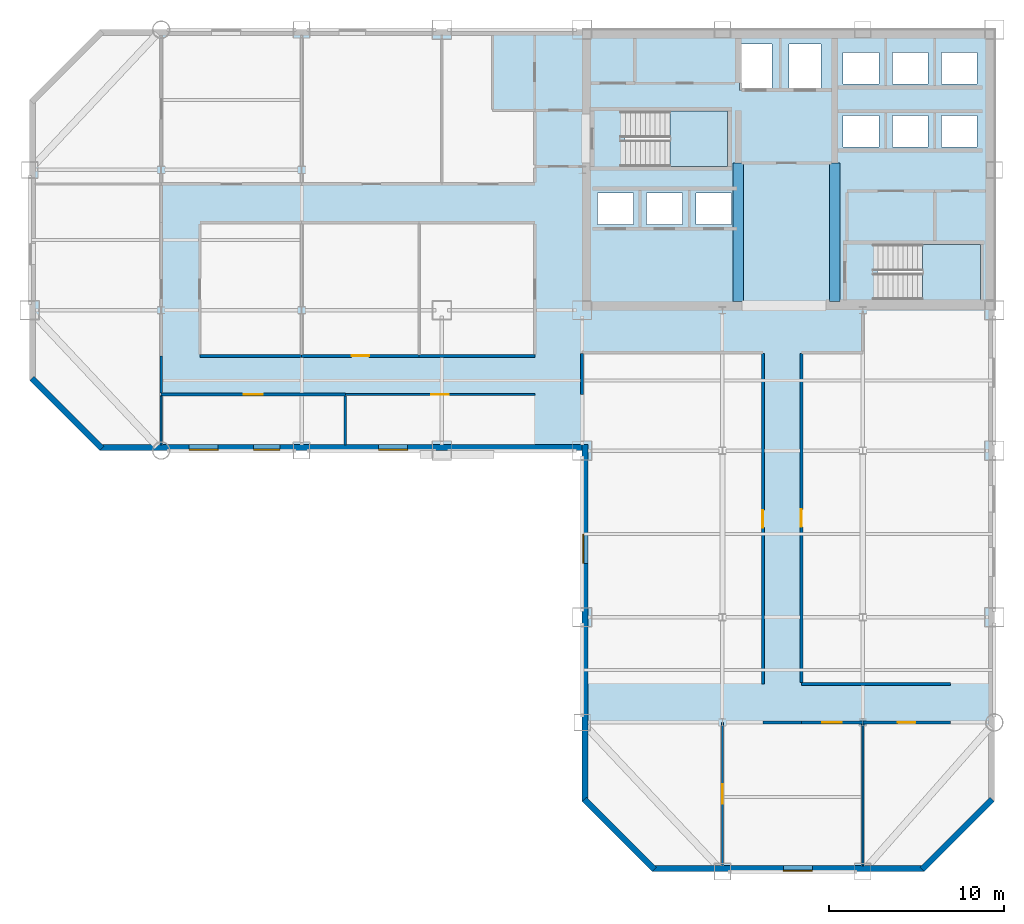
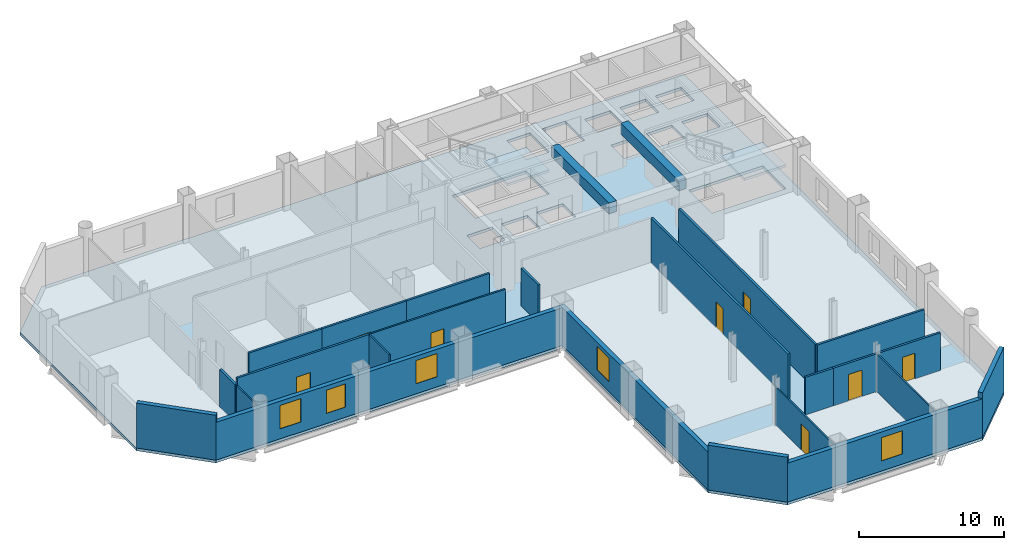
# One storey, part 5 of 10: 23 walls, 8 doors, 5 windows, 3 slabs, 2 beams, 13 openings, 2 elements without a shape of their own.
"""IFC4 building model written with IfcOpenShell, lengths in metres."""

from ifc_helpers import new_model, si_unit, direction, frame, frame_2d, origin, origin_2d, place, context, subcontext, project, spatial, polyline, rectangle, outline, extrude, material, layer, layer_set, material_profile, profile_set, type_object, element, fill, aggregate, save


model = new_model("IFC4")

# Units and contexts
model_context = context("Model", 3, precision=1e-05, world=origin(), true_north=direction((0.0, 1.0)))
body_context = subcontext(model_context, "Body", "Model", "MODEL_VIEW")
ifc_project = project(units=[si_unit("LENGTHUNIT", "METRE"), si_unit("AREAUNIT", "SQUARE_METRE"), si_unit("VOLUMEUNIT", "CUBIC_METRE"), si_unit("PLANEANGLEUNIT", "RADIAN"), si_unit("MASSUNIT", "GRAM", prefix="KILO")], contexts=[model_context])

# Site, building, storey
site_placement = place(None, origin())
site = spatial("IfcSite", under=ifc_project, at=site_placement, CompositionType="ELEMENT")
building_placement = place(site_placement, origin())
building = spatial("IfcBuilding", under=site, at=building_placement, Name="Qianrong Seaharbour Tower", CompositionType="ELEMENT")
storey_placement = place(building_placement, frame((0.0, 0.0, 131.0)))
storey = spatial("IfcBuildingStorey", under=building, at=storey_placement, Name="L31", CompositionType="ELEMENT", Elevation=131.0)

# Beams
ifc_material_1 = material(Name="Concrete C70/85", Category="concrete")
ifc_material_profile = material_profile(ifc_material_1, rectangle(XDim=0.60009765625, YDim=0.89990234375, at=origin_2d()), Name="RC600x900")
ifc_profile_set = profile_set([ifc_material_profile], Name="Concrete C70/85")
beam_type = type_object("IfcBeamType", Name="BM-LINTEL-900", PredefinedType="LINTEL", material=ifc_profile_set)
for number, where, z_axis, x_axis, name in (
    (1, (49.39990234375, 36.5, 3.31494140625), (0.0, 1.0, 0.0), (-1.0, 0.0, 0.0), "L31 Internal Core Coupling Beam IW1"),
    (2, (54.89990234375, 36.5, 3.31494140625), (0.0, 1.0, 0.0), (-1.0, 0.0, 0.0), "L31 Internal Core Coupling Beam IW2"),
):
    element("IfcBeam", number, at=place(storey_placement, frame(where, z_axis=z_axis, x_axis=x_axis)), inside=storey, type_object=beam_type, Name=name, PredefinedType="LINTEL", context=body_context, shape_type="SweptSolid", body=[
        extrude(rectangle(XDim=0.60009765625, YDim=0.89990234375, at=origin_2d()), origin(), (0.0, 0.0, 1.0), 7.89990234375),
    ])

# Stair, slab
ifc_material_2 = material(Name="Concrete C50/60", Category="concrete")
stair_type = type_object("IfcStairType", Name="STAIR-DOGLEG-1500-R22", PredefinedType="HALF_TURN_STAIR", material=ifc_material_2)
stair_1_placement = place(storey_placement, origin())
stair_1 = element("IfcStair", 3, at=stair_1_placement, inside=storey, type_object=stair_type, Name="L31 Protected Escape Stair ST-1", PredefinedType="HALF_TURN_STAIR")
ifc_layer_1 = layer(ifc_material_2, 0.199951171875)
ifc_layer_set_1 = layer_set([ifc_layer_1], Name="Concrete C50/60")
slab_type_1 = type_object("IfcSlabType", Name="SLAB-STAIR-LANDING-200", PredefinedType="LANDING", material=ifc_layer_set_1)
slab_1_placement = place(storey_placement, frame((0.0, 0.0, 1.800048828125)))
slab_1 = element("IfcSlab", 4, at=slab_1_placement, type_object=slab_type_1, Name="ST-1 landing 1", PredefinedType="LANDING", context=body_context, shape_type="SweptSolid", body=[
    extrude(outline(polyline([(45.5, 44.199951171875), (48.800048828125, 44.199951171875), (48.800048828125, 47.35009765625), (45.5, 47.35009765625), (45.5, 44.199951171875)])), origin(), (0.0, 0.0, 1.0), 0.199951171875),
])
aggregate(stair_1, [slab_1])

stair_2_placement = place(storey_placement, origin())
stair_2 = element("IfcStair", 5, at=stair_2_placement, inside=storey, type_object=stair_type, Name="L31 Protected Escape Stair ST-2", PredefinedType="HALF_TURN_STAIR")
slab_2_placement = place(storey_placement, frame((0.0, 0.0, 1.800048828125)))
slab_2 = element("IfcSlab", 6, at=slab_2_placement, type_object=slab_type_1, Name="ST-2 landing 1", PredefinedType="LANDING", context=body_context, shape_type="SweptSolid", body=[
    extrude(outline(polyline([(59.89990234375, 36.60009765625), (63.199951171875, 36.60009765625), (63.199951171875, 39.75), (59.89990234375, 39.75), (59.89990234375, 36.60009765625)])), origin(), (0.0, 0.0, 1.0), 0.199951171875),
])
aggregate(stair_2, [slab_2])

# Slab
ifc_layer_2 = layer(ifc_material_2, 0.235107421875)
ifc_layer_set_2 = layer_set([ifc_layer_2], Name="Concrete C50/60")
slab_type_2 = type_object("IfcSlabType", Name="SLAB-Z2-235", PredefinedType="FLOOR", material=ifc_layer_set_2)
slab_3_placement = place(storey_placement, frame((0.0, 0.0, -0.235107421875)))
element("IfcSlab", 7, at=slab_3_placement, inside=storey, type_object=slab_type_2, Name="L31 Structural Floor Slab", PredefinedType="FLOOR", context=body_context, shape_type="SweptSolid", body=[
    extrude(outline(polyline([(44.5, 4.0), (60.0, 4.0), (64.0, 8.0), (64.0, 52.0), (13.0, 52.0), (9.0, 48.0), (9.0, 32.0), (13.0, 28.0), (40.5, 28.0), (40.5, 8.0), (44.5, 4.0)]), holes=[polyline([(42.93994140625, 44.199951171875), (42.93994140625, 47.35009765625), (48.800048828125, 47.35009765625), (48.800048828125, 44.199951171875), (42.93994140625, 44.199951171875)]), polyline([(57.340087890625, 36.60009765625), (57.340087890625, 39.75), (63.199951171875, 39.75), (63.199951171875, 36.60009765625), (57.340087890625, 36.60009765625)]), polyline([(49.47998046875, 48.530029296875), (49.47998046875, 51.169921875), (51.320068359375, 51.169921875), (51.320068359375, 48.530029296875), (49.47998046875, 48.530029296875)]), polyline([(52.280029296875, 48.530029296875), (52.280029296875, 51.169921875), (54.1201171875, 51.169921875), (54.1201171875, 48.530029296875), (52.280029296875, 48.530029296875)]), polyline([(41.3798828125, 40.89990234375), (41.3798828125, 42.699951171875), (43.419921875, 42.699951171875), (43.419921875, 40.89990234375), (41.3798828125, 40.89990234375)]), polyline([(44.179931640625, 40.89990234375), (44.179931640625, 42.699951171875), (46.219970703125, 42.699951171875), (46.219970703125, 40.89990234375), (44.179931640625, 40.89990234375)]), polyline([(46.97998046875, 40.89990234375), (46.97998046875, 42.699951171875), (49.02001953125, 42.699951171875), (49.02001953125, 40.89990234375), (46.97998046875, 40.89990234375)]), polyline([(55.3798828125, 45.300048828125), (55.3798828125, 47.10009765625), (57.419921875, 47.10009765625), (57.419921875, 45.300048828125), (55.3798828125, 45.300048828125)]), polyline([(58.179931640625, 45.300048828125), (58.179931640625, 47.10009765625), (60.219970703125, 47.10009765625), (60.219970703125, 45.300048828125), (58.179931640625, 45.300048828125)]), polyline([(60.97998046875, 45.300048828125), (60.97998046875, 47.10009765625), (63.02001953125, 47.10009765625), (63.02001953125, 45.300048828125), (60.97998046875, 45.300048828125)]), polyline([(55.3798828125, 48.89990234375), (55.3798828125, 50.699951171875), (57.419921875, 50.699951171875), (57.419921875, 48.89990234375), (55.3798828125, 48.89990234375)]), polyline([(58.179931640625, 48.89990234375), (58.179931640625, 50.699951171875), (60.219970703125, 50.699951171875), (60.219970703125, 48.89990234375), (58.179931640625, 48.89990234375)]), polyline([(60.97998046875, 48.89990234375), (60.97998046875, 50.699951171875), (63.02001953125, 50.699951171875), (63.02001953125, 48.89990234375), (60.97998046875, 48.89990234375)])]), origin(), (0.0, 0.0, 1.0), 0.235107421875),
])

# Wall
ifc_material_3 = material(Name="Fire-rated acoustic gypsum board partition")
ifc_layer_3 = layer(ifc_material_3, 0.1650390625)
ifc_layer_set_3 = layer_set([ifc_layer_3], Name="Fire-rated acoustic gypsum board partition")
wall_type_1 = type_object("IfcWallType", Name="WALL-CORR-PART-165", PredefinedType="PARTITIONING", material=ifc_layer_set_3)
wall_1_placement = place(storey_placement, frame((18.699951171875, 33.39990234375, 0.0), z_axis=(0.0, 0.0, 1.0), x_axis=(1.0, 0.0, 0.0)))
element("IfcWall", 8, at=wall_1_placement, inside=storey, type_object=wall_type_1, Name="L31 Interior Partition Wall 015", PredefinedType="PARTITIONING", context=body_context, shape_type="SweptSolid", body=[
    extrude(rectangle(XDim=5.800048828125, YDim=0.1650390625, at=frame_2d((2.89990234375, 0.0))), origin(), (0.0, 0.0, 1.0), 3.764892578125),
])

# Wall, opening, door
wall_2_placement = place(storey_placement, frame((24.5, 33.39990234375, 0.0), z_axis=(0.0, 0.0, 1.0), x_axis=(1.0, 0.0, 0.0)))
wall_2 = element("IfcWall", 9, at=wall_2_placement, inside=storey, type_object=wall_type_1, Name="L31 Interior Partition Wall 016", PredefinedType="PARTITIONING", context=body_context, shape_type="SweptSolid", body=[
    extrude(rectangle(XDim=6.699951171875, YDim=0.1650390625, at=frame_2d((3.35009765625, 0.0))), origin(), (0.0, 0.0, 1.0), 3.764892578125),
])
opening_1_placement = place(wall_2_placement, frame((2.85009765625, 0.0, 0.0)))
opening_1 = element("IfcOpeningElement", 10, at=opening_1_placement, cuts=wall_2, Name="Opening DO-01", PredefinedType="OPENING", context=body_context, shape_type="SweptSolid", body=[
    extrude(rectangle(XDim=1.0, YDim=2.14990234375, at=frame_2d((0.5, 1.074951171875))), frame((0.0, 0.092529296875, 0.0), z_axis=(0.0, -1.0, 0.0), x_axis=(1.0, 0.0, 0.0)), (0.0, 0.0, 1.0), 0.18505859375),
])
ifc_material_4 = material(Name="Acoustic timber and galvanized steel fire door assembly", Category="steel")
door_type_1 = type_object("IfcDoorType", Name="DOOR-OFFICE-1000x2150", OperationType="NOTDEFINED", PredefinedType="DOOR", material=ifc_material_4)
door_1_placement = place(opening_1_placement, origin())
door_1 = element("IfcDoor", 11, at=door_1_placement, inside=storey, type_object=door_type_1, Name="L31 Project Library 2 Door", OperationType="SINGLE_SWING_RIGHT", OverallHeight=2.14990234375, OverallWidth=1.0, PredefinedType="DOOR", context=body_context, shape_type="SweptSolid", body=[
    extrude(rectangle(XDim=1.0, YDim=2.14990234375, at=frame_2d((0.5, 1.074951171875))), frame((0.0, 0.02490234375, 0.0), z_axis=(0.0, -1.0, 0.0), x_axis=(1.0, 0.0, 0.0)), (0.0, 0.0, 1.0), 0.050048828125),
])
fill(opening_1, door_1)

# Walls
wall_3_placement = place(storey_placement, frame((31.199951171875, 33.39990234375, 0.0), z_axis=(0.0, 0.0, 1.0), x_axis=(1.0, 0.0, 0.0)))
element("IfcWall", 12, at=wall_3_placement, inside=storey, type_object=wall_type_1, Name="L31 Interior Partition Wall 017", PredefinedType="PARTITIONING", context=body_context, shape_type="SweptSolid", body=[
    extrude(rectangle(XDim=6.60009765625, YDim=0.1650390625, at=frame_2d((3.300048828125, 0.0))), origin(), (0.0, 0.0, 1.0), 3.764892578125),
])
wall_4_placement = place(storey_placement, frame((16.5, 31.2744140625, 0.0), z_axis=(0.0, 0.0, 1.0), x_axis=(0.0, 1.0, 0.0)))
element("IfcWall", 13, at=wall_4_placement, inside=storey, type_object=wall_type_1, Name="L31 Interior Partition Wall 018", PredefinedType="PARTITIONING", context=body_context, shape_type="SweptSolid", body=[
    extrude(rectangle(XDim=2.12548828125, YDim=0.1650390625, at=frame_2d((1.062744140625, 0.0))), origin(), (0.0, 0.0, 1.0), 3.156982421875),
])

# Wall, opening, door
wall_5_placement = place(storey_placement, frame((27.0, 31.199951171875, 0.0), z_axis=(0.0, 0.0, 1.0), x_axis=(-1.0, 0.0, 0.0)))
wall_5 = element("IfcWall", 14, at=wall_5_placement, inside=storey, type_object=wall_type_1, Name="L31 Interior Partition Wall 019", PredefinedType="PARTITIONING", context=body_context, shape_type="SweptSolid", body=[
    extrude(rectangle(XDim=10.5, YDim=0.1650390625, at=frame_2d((5.25, 0.0))), origin(), (0.0, 0.0, 1.0), 3.764892578125),
])
opening_2_placement = place(wall_5_placement, frame((4.699951171875, 0.0, 0.0)))
opening_2 = element("IfcOpeningElement", 15, at=opening_2_placement, cuts=wall_5, Name="Opening DM-01", PredefinedType="OPENING", context=body_context, shape_type="SweptSolid", body=[
    extrude(rectangle(XDim=1.10009765625, YDim=2.199951171875, at=frame_2d((0.550048828125, 1.10009765625))), frame((0.0, 0.092529296875, 0.0), z_axis=(0.0, -1.0, 0.0), x_axis=(1.0, 0.0, 0.0)), (0.0, 0.0, 1.0), 0.18505859375),
])
door_type_2 = type_object("IfcDoorType", Name="DOOR-MEET-1100x2200", OperationType="NOTDEFINED", PredefinedType="DOOR", material=ifc_material_4)
door_2_placement = place(opening_2_placement, origin())
door_2 = element("IfcDoor", 16, at=door_2_placement, inside=storey, type_object=door_type_2, Name="L31 Meeting Room 1 Door", OperationType="SINGLE_SWING_LEFT", OverallHeight=2.199951171875, OverallWidth=1.10009765625, PredefinedType="DOOR", context=body_context, shape_type="SweptSolid", body=[
    extrude(rectangle(XDim=1.10009765625, YDim=2.199951171875, at=frame_2d((0.550048828125, 1.10009765625))), frame((0.0, 0.02490234375, 0.0), z_axis=(0.0, -1.0, 0.0), x_axis=(1.0, 0.0, 0.0)), (0.0, 0.0, 1.0), 0.050048828125),
])
fill(opening_2, door_2)

# Wall
wall_6_placement = place(storey_placement, frame((40.5, 33.525390625, 0.0), z_axis=(0.0, 0.0, 1.0), x_axis=(0.0, -1.0, 0.0)))
element("IfcWall", 17, at=wall_6_placement, inside=storey, type_object=wall_type_1, Name="L31 Interior Partition Wall 030", PredefinedType="PARTITIONING", context=body_context, shape_type="SweptSolid", body=[
    extrude(rectangle(XDim=2.325439453125, YDim=0.1650390625, at=frame_2d((1.16259765625, 0.0))), origin(), (0.0, 0.0, 1.0), 3.156982421875),
])

# Wall, opening, door
wall_7_placement = place(storey_placement, frame((53.0, 33.525390625, 0.0), z_axis=(0.0, 0.0, 1.0), x_axis=(0.0, -1.0, 0.0)))
wall_7 = element("IfcWall", 18, at=wall_7_placement, inside=storey, type_object=wall_type_1, Name="L31 Interior Partition Wall 036", PredefinedType="PARTITIONING", context=body_context, shape_type="SweptSolid", body=[
    extrude(rectangle(XDim=18.7509765625, YDim=0.1650390625, at=frame_2d((9.37548828125, 0.0))), origin(), (0.0, 0.0, 1.0), 3.764892578125),
])
opening_3_placement = place(wall_7_placement, frame((8.87548828125, 0.0, 0.0)))
opening_3 = element("IfcOpeningElement", 19, at=opening_3_placement, cuts=wall_7, Name="Opening DO-01", PredefinedType="OPENING", context=body_context, shape_type="SweptSolid", body=[
    extrude(rectangle(XDim=1.0, YDim=2.14990234375, at=frame_2d((0.5, 1.074951171875))), frame((0.0, 0.092529296875, 0.0), z_axis=(0.0, -1.0, 0.0), x_axis=(1.0, 0.0, 0.0)), (0.0, 0.0, 1.0), 0.18505859375),
])
door_3_placement = place(opening_3_placement, origin())
door_3 = element("IfcDoor", 20, at=door_3_placement, inside=storey, type_object=door_type_1, Name="L31 South Wing Open-Plan Office Door", OperationType="SINGLE_SWING_LEFT", OverallHeight=2.14990234375, OverallWidth=1.0, PredefinedType="DOOR", context=body_context, shape_type="SweptSolid", body=[
    extrude(rectangle(XDim=1.0, YDim=2.14990234375, at=frame_2d((0.5, 1.074951171875))), frame((0.0, 0.02490234375, 0.0), z_axis=(0.0, -1.0, 0.0), x_axis=(1.0, 0.0, 0.0)), (0.0, 0.0, 1.0), 0.050048828125),
])
fill(opening_3, door_3)

wall_8_placement = place(storey_placement, frame((50.800048828125, 14.699951171875, 0.0), z_axis=(0.0, 0.0, 1.0), x_axis=(0.0, 1.0, 0.0)))
wall_8 = element("IfcWall", 21, at=wall_8_placement, inside=storey, type_object=wall_type_1, Name="L31 Interior Partition Wall 037", PredefinedType="PARTITIONING", context=body_context, shape_type="SweptSolid", body=[
    extrude(rectangle(XDim=18.825439453125, YDim=0.1650390625, at=frame_2d((9.41259765625, 0.0))), origin(), (0.0, 0.0, 1.0), 3.764892578125),
])
opening_4_placement = place(wall_8_placement, frame((8.912841796875, 0.0, 0.0)))
opening_4 = element("IfcOpeningElement", 22, at=opening_4_placement, cuts=wall_8, Name="Opening DO-01", PredefinedType="OPENING", context=body_context, shape_type="SweptSolid", body=[
    extrude(rectangle(XDim=1.0, YDim=2.14990234375, at=frame_2d((0.5, 1.074951171875))), frame((0.0, 0.092529296875, 0.0), z_axis=(0.0, -1.0, 0.0), x_axis=(1.0, 0.0, 0.0)), (0.0, 0.0, 1.0), 0.18505859375),
])
door_4_placement = place(opening_4_placement, origin())
door_4 = element("IfcDoor", 23, at=door_4_placement, inside=storey, type_object=door_type_1, Name="L31 West Spine Open-Plan Office Door", OperationType="SINGLE_SWING_RIGHT", OverallHeight=2.14990234375, OverallWidth=1.0, PredefinedType="DOOR", context=body_context, shape_type="SweptSolid", body=[
    extrude(rectangle(XDim=1.0, YDim=2.14990234375, at=frame_2d((0.5, 1.074951171875))), frame((0.0, 0.02490234375, 0.0), z_axis=(0.0, -1.0, 0.0), x_axis=(1.0, 0.0, 0.0)), (0.0, 0.0, 1.0), 0.050048828125),
])
fill(opening_4, door_4)

# Walls
wall_9_placement = place(storey_placement, frame((53.0, 12.5, 0.0), z_axis=(0.0, 0.0, 1.0), x_axis=(-1.0, 0.0, 0.0)))
element("IfcWall", 24, at=wall_9_placement, inside=storey, type_object=wall_type_1, Name="L31 Interior Partition Wall 038", PredefinedType="PARTITIONING", context=body_context, shape_type="SweptSolid", body=[
    extrude(rectangle(XDim=2.199951171875, YDim=0.1650390625, at=frame_2d((1.10009765625, 0.0))), origin(), (0.0, 0.0, 1.0), 3.156982421875),
])
wall_10_placement = place(storey_placement, frame((53.0, 14.699951171875, 0.0), z_axis=(0.0, 0.0, 1.0), x_axis=(1.0, 0.0, 0.0)))
element("IfcWall", 25, at=wall_10_placement, inside=storey, type_object=wall_type_1, Name="L31 Interior Partition Wall 039", PredefinedType="PARTITIONING", context=body_context, shape_type="SweptSolid", body=[
    extrude(rectangle(XDim=8.5, YDim=0.1650390625, at=frame_2d((4.25, 0.0))), origin(), (0.0, 0.0, 1.0), 3.764892578125),
])

# Wall, opening, door
wall_11_placement = place(storey_placement, frame((56.5, 12.5, 0.0), z_axis=(0.0, 0.0, 1.0), x_axis=(-1.0, 0.0, 0.0)))
wall_11 = element("IfcWall", 26, at=wall_11_placement, inside=storey, type_object=wall_type_1, Name="L31 Interior Partition Wall 040", PredefinedType="PARTITIONING", context=body_context, shape_type="SweptSolid", body=[
    extrude(rectangle(XDim=3.5, YDim=0.1650390625, at=frame_2d((1.75, 0.0))), origin(), (0.0, 0.0, 1.0), 3.156982421875),
])
opening_5_placement = place(wall_11_placement, frame((1.199951171875, 0.0, 0.0)))
opening_5 = element("IfcOpeningElement", 27, at=opening_5_placement, cuts=wall_11, Name="Opening DM-01", PredefinedType="OPENING", context=body_context, shape_type="SweptSolid", body=[
    extrude(rectangle(XDim=1.10009765625, YDim=2.199951171875, at=frame_2d((0.550048828125, 1.10009765625))), frame((0.0, 0.092529296875, 0.0), z_axis=(0.0, -1.0, 0.0), x_axis=(1.0, 0.0, 0.0)), (0.0, 0.0, 1.0), 0.18505859375),
])
door_5_placement = place(opening_5_placement, origin())
door_5 = element("IfcDoor", 28, at=door_5_placement, inside=storey, type_object=door_type_2, Name="L31 Meeting Room 2 Door", OperationType="SINGLE_SWING_RIGHT", OverallHeight=2.199951171875, OverallWidth=1.10009765625, PredefinedType="DOOR", context=body_context, shape_type="SweptSolid", body=[
    extrude(rectangle(XDim=1.10009765625, YDim=2.199951171875, at=frame_2d((0.550048828125, 1.10009765625))), frame((0.0, 0.02490234375, 0.0), z_axis=(0.0, -1.0, 0.0), x_axis=(1.0, 0.0, 0.0)), (0.0, 0.0, 1.0), 0.050048828125),
])
fill(opening_5, door_5)

wall_12_placement = place(storey_placement, frame((61.5, 12.5, 0.0), z_axis=(0.0, 0.0, 1.0), x_axis=(-1.0, 0.0, 0.0)))
wall_12 = element("IfcWall", 29, at=wall_12_placement, inside=storey, type_object=wall_type_1, Name="L31 Interior Partition Wall 041", PredefinedType="PARTITIONING", context=body_context, shape_type="SweptSolid", body=[
    extrude(rectangle(XDim=5.0, YDim=0.1650390625, at=frame_2d((2.5, 0.0))), origin(), (0.0, 0.0, 1.0), 3.156982421875),
])
opening_6_placement = place(wall_12_placement, frame((2.0, 0.0, 0.0)))
opening_6 = element("IfcOpeningElement", 30, at=opening_6_placement, cuts=wall_12, Name="Opening DO-01", PredefinedType="OPENING", context=body_context, shape_type="SweptSolid", body=[
    extrude(rectangle(XDim=1.0, YDim=2.14990234375, at=frame_2d((0.5, 1.074951171875))), frame((0.0, 0.092529296875, 0.0), z_axis=(0.0, -1.0, 0.0), x_axis=(1.0, 0.0, 0.0)), (0.0, 0.0, 1.0), 0.18505859375),
])
door_6_placement = place(opening_6_placement, origin())
door_6 = element("IfcDoor", 31, at=door_6_placement, inside=storey, type_object=door_type_1, Name="L31 Standards Library 3 Door", OperationType="SINGLE_SWING_LEFT", OverallHeight=2.14990234375, OverallWidth=1.0, PredefinedType="DOOR", context=body_context, shape_type="SweptSolid", body=[
    extrude(rectangle(XDim=1.0, YDim=2.14990234375, at=frame_2d((0.5, 1.074951171875))), frame((0.0, 0.02490234375, 0.0), z_axis=(0.0, -1.0, 0.0), x_axis=(1.0, 0.0, 0.0)), (0.0, 0.0, 1.0), 0.050048828125),
])
fill(opening_6, door_6)

# Wall
ifc_material_5 = material(Name="Demountable aluminium-framed acoustic office partition", Category="aluminium")
ifc_layer_4 = layer(ifc_material_5, 0.110107421875)
ifc_layer_set_4 = layer_set([ifc_layer_4], Name="Demountable aluminium-framed acoustic office partition")
wall_type_2 = type_object("IfcWallType", Name="WALL-DEMOUNT-110", PredefinedType="MOVABLE", material=ifc_layer_set_4)
wall_13_placement = place(storey_placement, frame((16.5, 31.12548828125, 0.0), z_axis=(0.0, 0.0, 1.0), x_axis=(0.0, -1.0, 0.0)))
element("IfcWall", 32, at=wall_13_placement, inside=storey, type_object=wall_type_2, Name="L31 Interior Partition Wall 048", PredefinedType="MOVABLE", context=body_context, shape_type="SweptSolid", body=[
    extrude(rectangle(XDim=2.79345703125, YDim=0.110107421875, at=frame_2d((1.396728515625, 0.0))), origin(), (0.0, 0.0, 1.0), 3.156982421875),
])

# Wall, opening, door
wall_14_placement = place(storey_placement, frame((48.5, 12.5, 0.0), z_axis=(0.0, 0.0, 1.0), x_axis=(0.0, -1.0, 0.0)))
wall_14 = element("IfcWall", 33, at=wall_14_placement, inside=storey, type_object=wall_type_2, Name="L31 Interior Partition Wall 050", PredefinedType="MOVABLE", context=body_context, shape_type="SweptSolid", body=[
    extrude(rectangle(XDim=8.16796875, YDim=0.110107421875, at=frame_2d((4.083984375, 0.0))), origin(), (0.0, 0.0, 1.0), 3.156982421875),
])
opening_7_placement = place(wall_14_placement, frame((3.533935546875, 0.0, 0.0)))
opening_7 = element("IfcOpeningElement", 34, at=opening_7_placement, cuts=wall_14, Name="Opening DM-01", PredefinedType="OPENING", context=body_context, shape_type="SweptSolid", body=[
    extrude(rectangle(XDim=1.10009765625, YDim=2.199951171875, at=frame_2d((0.550048828125, 1.10009765625))), frame((0.0, 0.06494140625, 0.0), z_axis=(0.0, -1.0, 0.0), x_axis=(1.0, 0.0, 0.0)), (0.0, 0.0, 1.0), 0.130126953125),
])
door_7_placement = place(opening_7_placement, origin())
door_7 = element("IfcDoor", 35, at=door_7_placement, inside=storey, type_object=door_type_2, Name="L31 Maritime Seminar Room 1 Door", OperationType="SINGLE_SWING_LEFT", OverallHeight=2.199951171875, OverallWidth=1.10009765625, PredefinedType="DOOR", context=body_context, shape_type="SweptSolid", body=[
    extrude(rectangle(XDim=1.10009765625, YDim=2.199951171875, at=frame_2d((0.550048828125, 1.10009765625))), frame((0.0, 0.02490234375, 0.0), z_axis=(0.0, -1.0, 0.0), x_axis=(1.0, 0.0, 0.0)), (0.0, 0.0, 1.0), 0.050048828125),
])
fill(opening_7, door_7)

# Wall
wall_15_placement = place(storey_placement, frame((56.5, 12.425537109375, 0.0), z_axis=(0.0, 0.0, 1.0), x_axis=(0.0, -1.0, 0.0)))
element("IfcWall", 36, at=wall_15_placement, inside=storey, type_object=wall_type_2, Name="L31 Interior Partition Wall 051", PredefinedType="MOVABLE", context=body_context, shape_type="SweptSolid", body=[
    extrude(rectangle(XDim=8.093505859375, YDim=0.110107421875, at=frame_2d((4.046875, 0.0))), origin(), (0.0, 0.0, 1.0), 3.156982421875),
])

# Wall, opening, window
ifc_material_6 = material(Name="Unitised buff brick on Precast concrete C45/55", Category="masonry")
ifc_layer_5 = layer(ifc_material_6, 0.340087890625)
ifc_layer_set_5 = layer_set([ifc_layer_5], Name="Unitised buff brick on Precast concrete C45/55")
wall_type_3 = type_object("IfcWallType", Name="WALL-EXT-BRICK-BUFF-340", PredefinedType="SOLIDWALL", material=ifc_layer_set_5)
wall_16_placement = place(storey_placement, frame((40.669921875, 8.0, 0.0), z_axis=(0.0, 0.0, 1.0), x_axis=(0.0, 1.0, 0.0)))
wall_16 = element("IfcWall", 37, at=wall_16_placement, inside=storey, type_object=wall_type_3, Name="L31 Exterior Masonry Facade Wall REENTRANT_WEST", PredefinedType="SOLIDWALL", context=body_context, shape_type="SweptSolid", body=[
    extrude(rectangle(XDim=20.340087890625, YDim=0.340087890625, at=frame_2d((10.169921875, 0.0))), origin(), (0.0, 0.0, 1.0), 3.1650390625),
])
opening_8_placement = place(wall_16_placement, frame((13.574951171875, 0.0, 0.85009765625)))
opening_8 = element("IfcOpeningElement", 38, at=opening_8_placement, cuts=wall_16, Name="Opening WN-04", PredefinedType="OPENING", context=body_context, shape_type="SweptSolid", body=[
    extrude(rectangle(XDim=1.64990234375, YDim=1.949951171875, at=frame_2d((0.824951171875, 0.97509765625))), frame((0.0, 0.18017578125, 0.0), z_axis=(0.0, -1.0, 0.0), x_axis=(1.0, 0.0, 0.0)), (0.0, 0.0, 1.0), 0.360107421875),
])
ifc_material_7 = material(Name="Insulated low-e double glazing in thermally broken aluminium 6063-T6 frame", Category="aluminium")
window_type_1 = type_object("IfcWindowType", Name="WIN-PUNCH-1650x1950", PartitioningType="DOUBLE_PANEL_VERTICAL", PredefinedType="WINDOW", material=ifc_material_7)
window_1_placement = place(opening_8_placement, origin())
window_1 = element("IfcWindow", 39, at=window_1_placement, inside=storey, type_object=window_type_1, Name="L31 Deep-Set Punched Window 00.04", OverallHeight=1.949951171875, OverallWidth=1.64990234375, PartitioningType="DOUBLE_PANEL_VERTICAL", PredefinedType="WINDOW", context=body_context, shape_type="SweptSolid", body=[
    extrude(rectangle(XDim=1.64990234375, YDim=1.949951171875, at=frame_2d((0.824951171875, 0.97509765625))), frame((0.0, 0.150146484375, 0.0), z_axis=(0.0, -1.0, 0.0), x_axis=(1.0, 0.0, 0.0)), (0.0, 0.0, 1.0), 0.06005859375),
])
fill(opening_8, window_1)

# Wall, openings, windows
wall_17_placement = place(storey_placement, frame((40.52001953125, 28.169921875, 0.0), z_axis=(0.0, 0.0, 1.0), x_axis=(-1.0, 0.0, 0.0)))
wall_17 = element("IfcWall", 40, at=wall_17_placement, inside=storey, type_object=wall_type_3, Name="L31 Exterior Masonry Facade Wall HARBOUR_RIBBON", PredefinedType="SOLIDWALL", context=body_context, shape_type="SweptSolid", body=[
    extrude(rectangle(XDim=27.52001953125, YDim=0.340087890625, at=frame_2d((13.760009765625, 0.0))), origin(), (0.0, 0.0, 1.0), 3.1650390625),
])
opening_9_placement = place(wall_17_placement, frame((9.97509765625, 0.0, 0.85009765625)))
opening_9 = element("IfcOpeningElement", 41, at=opening_9_placement, cuts=wall_17, Name="Opening WN-04", PredefinedType="OPENING", context=body_context, shape_type="SweptSolid", body=[
    extrude(rectangle(XDim=1.64990234375, YDim=1.949951171875, at=frame_2d((0.824951171875, 0.97509765625))), frame((0.0, 0.18017578125, 0.0), z_axis=(0.0, -1.0, 0.0), x_axis=(1.0, 0.0, 0.0)), (0.0, 0.0, 1.0), 0.360107421875),
])
opening_10_placement = place(wall_17_placement, frame((17.25, 0.0, 0.85009765625)))
opening_10 = element("IfcOpeningElement", 42, at=opening_10_placement, cuts=wall_17, Name="Opening WN-03", PredefinedType="OPENING", context=body_context, shape_type="SweptSolid", body=[
    extrude(rectangle(XDim=1.5, YDim=1.949951171875, at=frame_2d((0.75, 0.97509765625))), frame((0.0, 0.18017578125, 0.0), z_axis=(0.0, -1.0, 0.0), x_axis=(1.0, 0.0, 0.0)), (0.0, 0.0, 1.0), 0.360107421875),
])
opening_11_placement = place(wall_17_placement, frame((20.77490234375, 0.0, 0.85009765625)))
opening_11 = element("IfcOpeningElement", 43, at=opening_11_placement, cuts=wall_17, Name="Opening WN-04", PredefinedType="OPENING", context=body_context, shape_type="SweptSolid", body=[
    extrude(rectangle(XDim=1.64990234375, YDim=1.949951171875, at=frame_2d((0.824951171875, 0.97509765625))), frame((0.0, 0.18017578125, 0.0), z_axis=(0.0, -1.0, 0.0), x_axis=(1.0, 0.0, 0.0)), (0.0, 0.0, 1.0), 0.360107421875),
])
window_type_2 = type_object("IfcWindowType", Name="WIN-PUNCH-1500x1950", PartitioningType="DOUBLE_PANEL_VERTICAL", PredefinedType="WINDOW", material=ifc_material_7)
window_2_placement = place(opening_10_placement, origin())
window_2 = element("IfcWindow", 44, at=window_2_placement, inside=storey, type_object=window_type_2, Name="L31 Deep-Set Punched Window 01.05", OverallHeight=1.949951171875, OverallWidth=1.5, PartitioningType="DOUBLE_PANEL_VERTICAL", PredefinedType="WINDOW", context=body_context, shape_type="SweptSolid", body=[
    extrude(rectangle(XDim=1.5, YDim=1.949951171875, at=frame_2d((0.75, 0.97509765625))), frame((0.0, 0.150146484375, 0.0), z_axis=(0.0, -1.0, 0.0), x_axis=(1.0, 0.0, 0.0)), (0.0, 0.0, 1.0), 0.06005859375),
])
fill(opening_10, window_2)
window_3_placement = place(opening_9_placement, origin())
window_3 = element("IfcWindow", 45, at=window_3_placement, inside=storey, type_object=window_type_1, Name="L31 Deep-Set Punched Window 01.03", OverallHeight=1.949951171875, OverallWidth=1.64990234375, PartitioningType="DOUBLE_PANEL_VERTICAL", PredefinedType="WINDOW", context=body_context, shape_type="SweptSolid", body=[
    extrude(rectangle(XDim=1.64990234375, YDim=1.949951171875, at=frame_2d((0.824951171875, 0.97509765625))), frame((0.0, 0.150146484375, 0.0), z_axis=(0.0, -1.0, 0.0), x_axis=(1.0, 0.0, 0.0)), (0.0, 0.0, 1.0), 0.06005859375),
])
fill(opening_9, window_3)
window_4_placement = place(opening_11_placement, origin())
window_4 = element("IfcWindow", 46, at=window_4_placement, inside=storey, type_object=window_type_1, Name="L31 Deep-Set Punched Window 01.06", OverallHeight=1.949951171875, OverallWidth=1.64990234375, PartitioningType="DOUBLE_PANEL_VERTICAL", PredefinedType="WINDOW", context=body_context, shape_type="SweptSolid", body=[
    extrude(rectangle(XDim=1.64990234375, YDim=1.949951171875, at=frame_2d((0.824951171875, 0.97509765625))), frame((0.0, 0.150146484375, 0.0), z_axis=(0.0, -1.0, 0.0), x_axis=(1.0, 0.0, 0.0)), (0.0, 0.0, 1.0), 0.06005859375),
])
fill(opening_11, window_4)

# Walls
for number, where, z_axis, x_axis, name in (
    (47, (13.1201171875, 28.1201171875, 0.0), (0.0, 0.0, 1.0), (-0.707106781187, 0.707106781187, 0.0), "L31 Exterior Masonry Facade Wall E02"),
    (48, (63.8798828125, 8.1201171875, 0.0), (0.0, 0.0, 1.0), (-0.707106781187, -0.707106781187, 0.0), "L31 Exterior Masonry Facade Wall E07"),
):
    element("IfcWall", number, at=place(storey_placement, frame(where, z_axis=z_axis, x_axis=x_axis)), inside=storey, type_object=wall_type_3, Name=name, PredefinedType="SOLIDWALL", context=body_context, shape_type="SweptSolid", body=[
        extrude(rectangle(XDim=5.65673828125, YDim=0.340087890625, at=frame_2d((2.828369140625, 0.0))), origin(), (0.0, 0.0, 1.0), 3.764892578125),
    ])

# Wall, opening, window
wall_18_placement = place(storey_placement, frame((60.0, 4.169921875, 0.0), z_axis=(0.0, 0.0, 1.0), x_axis=(-1.0, 0.0, 0.0)))
wall_18 = element("IfcWall", 49, at=wall_18_placement, inside=storey, type_object=wall_type_3, Name="L31 Exterior Masonry Facade Wall SOUTH_TIP", PredefinedType="SOLIDWALL", context=body_context, shape_type="SweptSolid", body=[
    extrude(rectangle(XDim=15.5, YDim=0.340087890625, at=frame_2d((7.75, 0.0))), origin(), (0.0, 0.0, 1.0), 3.264892578125),
])
opening_12_placement = place(wall_18_placement, frame((6.375, 0.0, 0.85009765625)))
opening_12 = element("IfcOpeningElement", 50, at=opening_12_placement, cuts=wall_18, Name="Opening WN-04", PredefinedType="OPENING", context=body_context, shape_type="SweptSolid", body=[
    extrude(rectangle(XDim=1.64990234375, YDim=1.949951171875, at=frame_2d((0.824951171875, 0.97509765625))), frame((0.0, 0.18017578125, 0.0), z_axis=(0.0, -1.0, 0.0), x_axis=(1.0, 0.0, 0.0)), (0.0, 0.0, 1.0), 0.360107421875),
])
window_5_placement = place(opening_12_placement, origin())
window_5 = element("IfcWindow", 51, at=window_5_placement, inside=storey, type_object=window_type_1, Name="L31 Deep-Set Punched Window 08.02", OverallHeight=1.949951171875, OverallWidth=1.64990234375, PartitioningType="DOUBLE_PANEL_VERTICAL", PredefinedType="WINDOW", context=body_context, shape_type="SweptSolid", body=[
    extrude(rectangle(XDim=1.64990234375, YDim=1.949951171875, at=frame_2d((0.824951171875, 0.97509765625))), frame((0.0, 0.150146484375, 0.0), z_axis=(0.0, -1.0, 0.0), x_axis=(1.0, 0.0, 0.0)), (0.0, 0.0, 1.0), 0.06005859375),
])
fill(opening_12, window_5)

# Wall
wall_19_placement = place(storey_placement, frame((44.6201171875, 4.1201171875, 0.0), z_axis=(0.0, 0.0, 1.0), x_axis=(-0.707106781187, 0.707106781187, 0.0)))
element("IfcWall", 52, at=wall_19_placement, inside=storey, type_object=wall_type_3, Name="L31 Exterior Masonry Facade Wall E09", PredefinedType="SOLIDWALL", context=body_context, shape_type="SweptSolid", body=[
    extrude(rectangle(XDim=5.65673828125, YDim=0.340087890625, at=frame_2d((2.828369140625, 0.0))), origin(), (0.0, 0.0, 1.0), 3.764892578125),
])

# Wall, opening, door
ifc_material_8 = material(Name="Water-resistant cement board sanitary partition")
ifc_layer_6 = layer(ifc_material_8, 0.1298828125)
ifc_layer_set_6 = layer_set([ifc_layer_6], Name="Water-resistant cement board sanitary partition")
wall_type_4 = type_object("IfcWallType", Name="WALL-WET-PART-130", PredefinedType="PARTITIONING", material=ifc_layer_set_6)
wall_20_placement = place(storey_placement, frame((37.800048828125, 31.199951171875, 0.0), z_axis=(0.0, 0.0, 1.0), x_axis=(-1.0, 0.0, 0.0)))
wall_20 = element("IfcWall", 53, at=wall_20_placement, inside=storey, type_object=wall_type_4, Name="L31 Interior Partition Wall 020", PredefinedType="PARTITIONING", context=body_context, shape_type="SweptSolid", body=[
    extrude(rectangle(XDim=10.800048828125, YDim=0.1298828125, at=frame_2d((5.39990234375, 0.0))), origin(), (0.0, 0.0, 1.0), 3.764892578125),
])
opening_13_placement = place(wall_20_placement, frame((4.89990234375, 0.0, 0.0)))
opening_13 = element("IfcOpeningElement", 54, at=opening_13_placement, cuts=wall_20, Name="Opening DO-01", PredefinedType="OPENING", context=body_context, shape_type="SweptSolid", body=[
    extrude(rectangle(XDim=1.0, YDim=2.14990234375, at=frame_2d((0.5, 1.074951171875))), frame((0.0, 0.074951171875, 0.0), z_axis=(0.0, -1.0, 0.0), x_axis=(1.0, 0.0, 0.0)), (0.0, 0.0, 1.0), 0.14990234375),
])
door_8_placement = place(opening_13_placement, origin())
door_8 = element("IfcDoor", 55, at=door_8_placement, inside=storey, type_object=door_type_1, Name="L31 Wet Pantry 2 Door", OperationType="SINGLE_SWING_RIGHT", OverallHeight=2.14990234375, OverallWidth=1.0, PredefinedType="DOOR", context=body_context, shape_type="SweptSolid", body=[
    extrude(rectangle(XDim=1.0, YDim=2.14990234375, at=frame_2d((0.5, 1.074951171875))), frame((0.0, 0.02490234375, 0.0), z_axis=(0.0, -1.0, 0.0), x_axis=(1.0, 0.0, 0.0)), (0.0, 0.0, 1.0), 0.050048828125),
])
fill(opening_13, door_8)

# Wall
wall_21_placement = place(storey_placement, frame((27.0, 31.12548828125, 0.0), z_axis=(0.0, 0.0, 1.0), x_axis=(0.0, -1.0, 0.0)))
element("IfcWall", 56, at=wall_21_placement, inside=storey, type_object=wall_type_4, Name="L31 Interior Partition Wall 049", PredefinedType="PARTITIONING", context=body_context, shape_type="SweptSolid", body=[
    extrude(rectangle(XDim=2.79345703125, YDim=0.1298828125, at=frame_2d((1.396728515625, 0.0))), origin(), (0.0, 0.0, 1.0), 3.764892578125),
])

save(model, "model.ifc")
